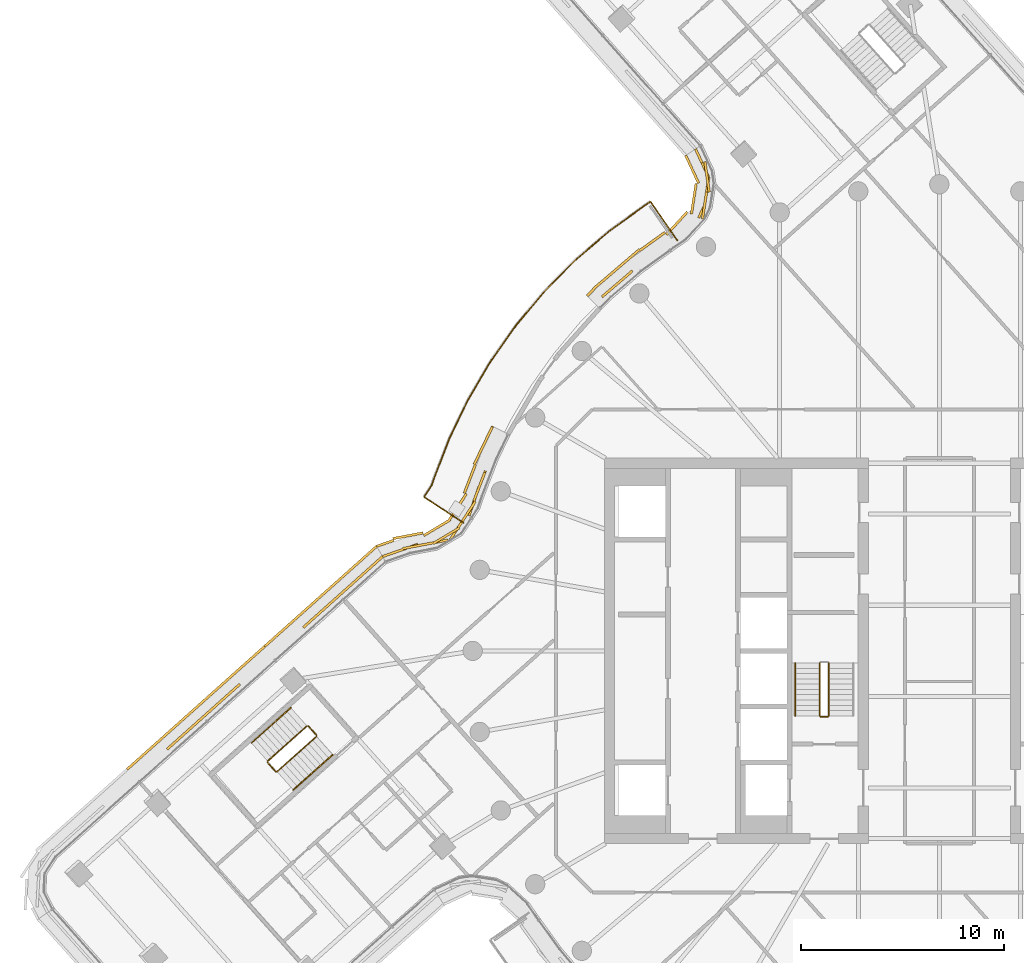
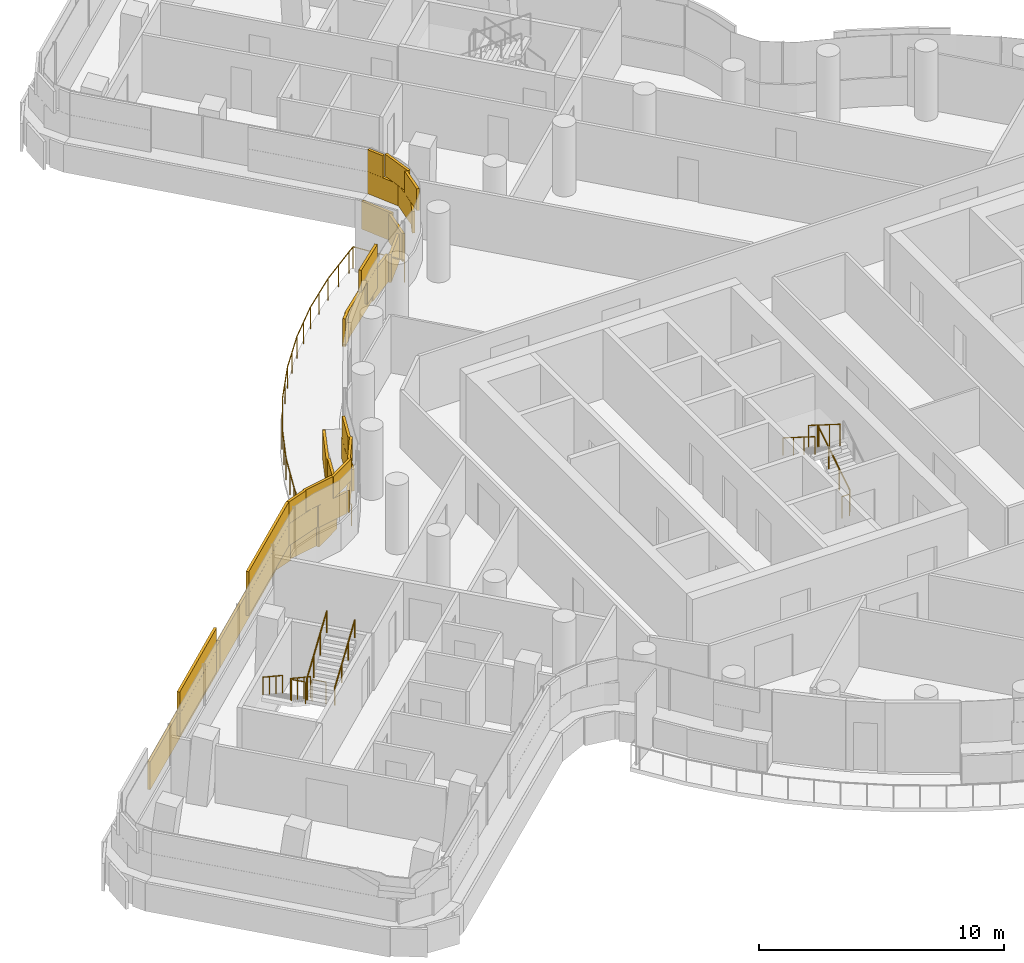
# One storey, part 29 of 33: 11 railings, 4 coverings.
"""IFC4 building model written with IfcOpenShell, lengths in metres."""

from ifc_helpers import new_model, si_unit, direction, frame, origin, origin_2d, place, context, subcontext, project, spatial, rectangle, circle, extrude, material, layer, layer_set, type_object, element, save


model = new_model("IFC4")

# Units and contexts
model_context = context("Model", 3, precision=1e-05, world=origin(), true_north=direction((0.0, 1.0)))
body_context = subcontext(model_context, "Body", "Model", "MODEL_VIEW")
ifc_project = project(units=[si_unit("LENGTHUNIT", "METRE"), si_unit("AREAUNIT", "SQUARE_METRE"), si_unit("VOLUMEUNIT", "CUBIC_METRE"), si_unit("PLANEANGLEUNIT", "RADIAN"), si_unit("MASSUNIT", "GRAM", prefix="KILO")], contexts=[model_context])

# Site, building, storey
site_placement = place(None, origin())
site = spatial("IfcSite", under=ifc_project, at=site_placement, CompositionType="ELEMENT")
building_placement = place(site_placement, origin())
building = spatial("IfcBuilding", under=site, at=building_placement, Name="Tamarind Cross Interchange Tower", CompositionType="ELEMENT")
storey_placement = place(building_placement, frame((0.0, 0.0, 186.10009765625)))
storey = spatial("IfcBuildingStorey", under=building, at=storey_placement, Name="L46", CompositionType="ELEMENT", Elevation=186.10009765625)

# Railings
ifc_material_1 = material(Name="Stainless steel and laminated glass", Category="steel")
railing_type_1 = type_object("IfcRailingType", Name="Balcony guard", PredefinedType="BALUSTRADE", material=ifc_material_1)
railing_1_placement = place(storey_placement, frame((-12.91357421875, 20.238037109375, 0.0)))
element("IfcRailing", 1, at=railing_1_placement, inside=storey, type_object=railing_type_1, Name="Balcony guard 10", PredefinedType="BALUSTRADE", context=body_context, shape_type="SweptSolid", body=[
    extrude(circle(Radius=0.02490234375, at=origin_2d()), frame((0.0, 0.0, 1.0751953125), z_axis=(-0.570025012572, 0.821627339517, 0.0), x_axis=(-0.821627339517, -0.570025012572, 0.0)), (0.0, 0.0, 1.0), 2.320068359375),
    extrude(circle(Radius=0.02490234375, at=origin_2d()), frame((-1.322509765625, 1.90625, 1.0751953125), z_axis=(-0.821594215568, -0.570072754081, 0.0), x_axis=(0.570072754081, -0.821594215568, 0.0)), (0.0, 0.0, 1.0), 0.38232421875),
    extrude(circle(Radius=0.02490234375, at=origin_2d()), frame((-1.63671875, 1.688232421875, 1.0751953125), z_axis=(-0.811362308637, -0.584543586162, 0.0), x_axis=(0.584543586162, -0.811362308637, 0.0)), (0.0, 0.0, 1.0), 2.10009765625),
    extrude(circle(Radius=0.02490234375, at=origin_2d()), frame((-3.340576171875, 0.460693359375, 1.0751953125), z_axis=(-0.760277812684, -0.649598066146, 0.0), x_axis=(0.649598066146, -0.760277812684, 0.0)), (0.0, 0.0, 1.0), 2.175048828125),
    extrude(circle(Radius=0.02490234375, at=origin_2d()), frame((-4.994140625, -0.9521484375, 1.0751953125), z_axis=(-0.704069857635, -0.710130717242, 0.0), x_axis=(0.710130717242, -0.704069857635, 0.0)), (0.0, 0.0, 1.0), 2.17529296875),
    extrude(circle(Radius=0.02490234375, at=origin_2d()), frame((-6.525634765625, -2.496826171875, 1.0751953125), z_axis=(-0.642984125922, -0.765879503455, 0.0), x_axis=(0.765879503455, -0.642984125922, 0.0)), (0.0, 0.0, 1.0), 2.17529296875),
    extrude(circle(Radius=0.02490234375, at=origin_2d()), frame((-7.92431640625, -4.162841796875, 1.0751953125), z_axis=(-0.577590617379, -0.81632657602, 0.0), x_axis=(0.81632657602, -0.577590617379, 0.0)), (0.0, 0.0, 1.0), 2.175048828125),
    extrude(circle(Radius=0.02490234375, at=origin_2d()), frame((-9.1806640625, -5.9384765625, 1.0751953125), z_axis=(-0.508226290333, -0.861223570169, 0.0), x_axis=(0.861223570169, -0.508226290333, 0.0)), (0.0, 0.0, 1.0), 2.175048828125),
    extrude(circle(Radius=0.02490234375, at=origin_2d()), frame((-10.2861328125, -7.811767578125, 1.0751953125), z_axis=(-0.435276325285, -0.90029690694, 0.0), x_axis=(0.90029690694, -0.435276325285, 0.0)), (0.0, 0.0, 1.0), 2.175048828125),
    extrude(circle(Radius=0.02490234375, at=origin_2d()), frame((-11.23291015625, -9.77001953125, 1.0751953125), z_axis=(-0.359564612977, -0.933120190058, 0.0), x_axis=(0.933120190058, -0.359564612977, 0.0)), (0.0, 0.0, 1.0), 2.123291015625),
    extrude(circle(Radius=0.02490234375, at=origin_2d()), frame((-11.996337890625, -11.751220703125, 1.0751953125), z_axis=(-0.323703566514, -0.946158549624, 0.0), x_axis=(0.946158549624, -0.323703566514, 0.0)), (0.0, 0.0, 1.0), 0.362060546875),
    extrude(circle(Radius=0.02490234375, at=origin_2d()), frame((-12.113525390625, -12.09375, 1.0751953125), z_axis=(-0.548361150367, -0.836241621045, 0.0), x_axis=(0.836241621045, -0.548361150367, 0.0)), (0.0, 0.0, 1.0), 0.668212890625),
    extrude(circle(Radius=0.02490234375, at=origin_2d()), frame((-12.47998046875, -12.652587890625, 1.0751953125), z_axis=(0.836331369017, -0.548224261774, 0.0), x_axis=(0.548224261774, 0.836331369017, 0.0)), (0.0, 0.0, 1.0), 2.320068359375),
    extrude(circle(Radius=0.02001953125, at=origin_2d()), origin(), (0.0, 0.0, 1.0), 1.050048828125),
    extrude(circle(Radius=0.02001953125, at=origin_2d()), frame((-0.6611328125, 0.953125, 0.0)), (0.0, 0.0, 1.0), 1.050048828125),
    extrude(circle(Radius=0.02001953125, at=origin_2d()), frame((-1.322509765625, 1.90625, 0.0)), (0.0, 0.0, 1.0), 1.050048828125),
    extrude(circle(Radius=0.02001953125, at=origin_2d()), frame((-1.63671875, 1.688232421875, 0.0)), (0.0, 0.0, 1.0), 1.050048828125),
    extrude(circle(Radius=0.02001953125, at=origin_2d()), frame((-2.48876953125, 1.074462890625, 0.0)), (0.0, 0.0, 1.0), 1.050048828125),
    extrude(circle(Radius=0.02001953125, at=origin_2d()), frame((-3.340576171875, 0.460693359375, 0.0)), (0.0, 0.0, 1.0), 1.050048828125),
    extrude(circle(Radius=0.02001953125, at=origin_2d()), frame((-4.16748046875, -0.24560546875, 0.0)), (0.0, 0.0, 1.0), 1.050048828125),
    extrude(circle(Radius=0.02001953125, at=origin_2d()), frame((-4.994140625, -0.9521484375, 0.0)), (0.0, 0.0, 1.0), 1.050048828125),
    extrude(circle(Radius=0.02001953125, at=origin_2d()), frame((-5.759765625, -1.724609375, 0.0)), (0.0, 0.0, 1.0), 1.050048828125),
    extrude(circle(Radius=0.02001953125, at=origin_2d()), frame((-6.525634765625, -2.496826171875, 0.0)), (0.0, 0.0, 1.0), 1.050048828125),
    extrude(circle(Radius=0.02001953125, at=origin_2d()), frame((-7.22509765625, -3.329833984375, 0.0)), (0.0, 0.0, 1.0), 1.050048828125),
    extrude(circle(Radius=0.02001953125, at=origin_2d()), frame((-7.92431640625, -4.162841796875, 0.0)), (0.0, 0.0, 1.0), 1.050048828125),
    extrude(circle(Radius=0.02001953125, at=origin_2d()), frame((-8.552490234375, -5.05078125, 0.0)), (0.0, 0.0, 1.0), 1.050048828125),
    extrude(circle(Radius=0.02001953125, at=origin_2d()), frame((-9.1806640625, -5.9384765625, 0.0)), (0.0, 0.0, 1.0), 1.050048828125),
    extrude(circle(Radius=0.02001953125, at=origin_2d()), frame((-9.7333984375, -6.875, 0.0)), (0.0, 0.0, 1.0), 1.050048828125),
    extrude(circle(Radius=0.02001953125, at=origin_2d()), frame((-10.2861328125, -7.811767578125, 0.0)), (0.0, 0.0, 1.0), 1.050048828125),
    extrude(circle(Radius=0.02001953125, at=origin_2d()), frame((-10.759521484375, -8.791015625, 0.0)), (0.0, 0.0, 1.0), 1.050048828125),
    extrude(circle(Radius=0.02001953125, at=origin_2d()), frame((-11.23291015625, -9.77001953125, 0.0)), (0.0, 0.0, 1.0), 1.050048828125),
    extrude(circle(Radius=0.02001953125, at=origin_2d()), frame((-11.61474609375, -10.7607421875, 0.0)), (0.0, 0.0, 1.0), 1.050048828125),
    extrude(circle(Radius=0.02001953125, at=origin_2d()), frame((-11.996337890625, -11.751220703125, 0.0)), (0.0, 0.0, 1.0), 1.050048828125),
    extrude(circle(Radius=0.02001953125, at=origin_2d()), frame((-12.113525390625, -12.09375, 0.0)), (0.0, 0.0, 1.0), 1.050048828125),
    extrude(circle(Radius=0.02001953125, at=origin_2d()), frame((-12.47998046875, -12.652587890625, 0.0)), (0.0, 0.0, 1.0), 1.050048828125),
    extrude(circle(Radius=0.02001953125, at=origin_2d()), frame((-11.509765625, -13.28857421875, 0.0)), (0.0, 0.0, 1.0), 1.050048828125),
    extrude(circle(Radius=0.02001953125, at=origin_2d()), frame((-10.53955078125, -13.924560546875, 0.0)), (0.0, 0.0, 1.0), 1.050048828125),
])
ifc_material_2 = material(Name="Stair guard")
railing_type_2 = type_object("IfcRailingType", Name="Stair guard", PredefinedType="GUARDRAIL", material=ifc_material_2)
railing_2_placement = place(storey_placement, frame((-5.449951171875, -3.199951171875, 0.16357421875)))
element("IfcRailing", 2, at=railing_2_placement, inside=storey, type_object=railing_type_2, Name="L46 ST1 stair guard 1", PredefinedType="GUARDRAIL", context=body_context, shape_type="SweptSolid", body=[
    extrude(circle(Radius=0.02392578125, at=origin_2d()), frame((0.0, 0.0, 1.076171875), z_axis=(0.0, 0.846337672412, 0.532646734952), x_axis=(-1.0, 0.0, 0.0)), (0.0, 0.0, 1.0), 3.07177734375),
    extrude(circle(Radius=0.02099609375, at=origin_2d()), origin(), (0.0, 0.0, 1.0), 1.052001953125),
    extrude(circle(Radius=0.02099609375, at=origin_2d()), frame((0.0, 0.86669921875, 0.54541015625)), (0.0, 0.0, 1.0), 1.052001953125),
    extrude(circle(Radius=0.02099609375, at=origin_2d()), frame((0.0, 1.733154296875, 1.0908203125)), (0.0, 0.0, 1.0), 1.052001953125),
    extrude(circle(Radius=0.02099609375, at=origin_2d()), frame((0.0, 2.599853515625, 1.63623046875)), (0.0, 0.0, 1.0), 1.052001953125),
])
railing_3_placement = place(storey_placement, frame((-5.89990234375, -0.60009765625, 1.963623046875)))
element("IfcRailing", 3, at=railing_3_placement, inside=storey, type_object=railing_type_2, Name="L46 ST1 stair guard 3", PredefinedType="GUARDRAIL", context=body_context, shape_type="SweptSolid", body=[
    extrude(circle(Radius=0.02392578125, at=origin_2d()), frame((0.0, 0.0, 1.076171875), z_axis=(0.0, -0.846337672412, 0.532646734952), x_axis=(1.0, 0.0, 0.0)), (0.0, 0.0, 1.0), 3.07177734375),
    extrude(circle(Radius=0.02099609375, at=origin_2d()), origin(), (0.0, 0.0, 1.0), 1.052001953125),
    extrude(circle(Radius=0.02099609375, at=origin_2d()), frame((0.0, -0.86669921875, 0.54541015625)), (0.0, 0.0, 1.0), 1.052001953125),
    extrude(circle(Radius=0.02099609375, at=origin_2d()), frame((0.0, -1.733154296875, 1.0908203125)), (0.0, 0.0, 1.0), 1.052001953125),
    extrude(circle(Radius=0.02099609375, at=origin_2d()), frame((0.0, -2.599853515625, 1.63623046875)), (0.0, 0.0, 1.0), 1.052001953125),
])
railing_4_placement = place(storey_placement, frame((-5.5, -3.25, 0.0)))
element("IfcRailing", 4, at=railing_4_placement, inside=storey, type_object=railing_type_2, Name="L46 ST1 stair guard 4", PredefinedType="GUARDRAIL", context=body_context, shape_type="SweptSolid", body=[
    extrude(circle(Radius=0.02392578125, at=origin_2d()), frame((0.0, 0.0, 1.076171875), z_axis=(-1.0, 0.0, 0.0), x_axis=(0.0, -1.0, 0.0)), (0.0, 0.0, 1.0), 0.35009765625),
    extrude(circle(Radius=0.02099609375, at=origin_2d()), origin(), (0.0, 0.0, 1.0), 1.052001953125),
    extrude(circle(Radius=0.02099609375, at=origin_2d()), frame((-0.35009765625, 0.0, 0.0)), (0.0, 0.0, 1.0), 1.052001953125),
])
railing_5_placement = place(storey_placement, frame((-31.166259765625, -3.7001953125, 0.16357421875)))
element("IfcRailing", 5, at=railing_5_placement, inside=storey, type_object=railing_type_2, Name="L46 ST5 stair guard 1", PredefinedType="GUARDRAIL", context=body_context, shape_type="SweptSolid", body=[
    extrude(circle(Radius=0.02392578125, at=origin_2d()), frame((0.0, 0.0, 1.076171875), z_axis=(-0.63101821531, -0.564022200762, 0.532630236651), x_axis=(0.666418735311, -0.745577674844, 0.0)), (0.0, 0.0, 1.0), 3.072021484375),
    extrude(circle(Radius=0.02099609375, at=origin_2d()), origin(), (0.0, 0.0, 1.0), 1.052001953125),
    extrude(circle(Radius=0.02099609375, at=origin_2d()), frame((-0.646240234375, -0.57763671875, 0.54541015625)), (0.0, 0.0, 1.0), 1.052001953125),
    extrude(circle(Radius=0.02099609375, at=origin_2d()), frame((-1.292236328125, -1.155029296875, 1.0908203125)), (0.0, 0.0, 1.0), 1.052001953125),
    extrude(circle(Radius=0.02099609375, at=origin_2d()), frame((-1.9384765625, -1.732666015625, 1.63623046875)), (0.0, 0.0, 1.0), 1.052001953125),
])
railing_6_placement = place(storey_placement, frame((-33.108642578125, -5.50341796875, 1.7998046875)))
element("IfcRailing", 6, at=railing_6_placement, inside=storey, type_object=railing_type_2, Name="L46 ST5 stair guard 2", PredefinedType="GUARDRAIL", context=body_context, shape_type="SweptSolid", body=[
    extrude(circle(Radius=0.02392578125, at=origin_2d()), frame((0.0, 0.0, 1.076171875), z_axis=(0.666306907704, -0.745677614486, 0.0), x_axis=(0.745677614486, 0.666306907704, 0.0)), (0.0, 0.0, 1.0), 0.599853515625),
    extrude(circle(Radius=0.02099609375, at=origin_2d()), origin(), (0.0, 0.0, 1.0), 1.052001953125),
    extrude(circle(Radius=0.02099609375, at=origin_2d()), frame((0.399658203125, -0.447265625, 0.0)), (0.0, 0.0, 1.0), 1.052001953125),
])
railing_7_placement = place(storey_placement, frame((-32.638427734375, -5.954833984375, 1.963623046875)))
element("IfcRailing", 7, at=railing_7_placement, inside=storey, type_object=railing_type_2, Name="L46 ST5 stair guard 3", PredefinedType="GUARDRAIL", context=body_context, shape_type="SweptSolid", body=[
    extrude(circle(Radius=0.02392578125, at=origin_2d()), frame((0.0, 0.0, 1.076171875), z_axis=(0.63103775542, 0.564048103258, 0.532579654555), x_axis=(-0.666424276542, 0.745572721896, 0.0)), (0.0, 0.0, 1.0), 3.072265625),
    extrude(circle(Radius=0.02099609375, at=origin_2d()), origin(), (0.0, 0.0, 1.0), 1.052001953125),
    extrude(circle(Radius=0.02099609375, at=origin_2d()), frame((0.646240234375, 0.57763671875, 0.54541015625)), (0.0, 0.0, 1.0), 1.052001953125),
    extrude(circle(Radius=0.02099609375, at=origin_2d()), frame((1.29248046875, 1.1552734375, 1.0908203125)), (0.0, 0.0, 1.0), 1.052001953125),
    extrude(circle(Radius=0.02099609375, at=origin_2d()), frame((1.938720703125, 1.73291015625, 1.63623046875)), (0.0, 0.0, 1.0), 1.052001953125),
])
railing_8_placement = place(storey_placement, frame((-31.095703125, -3.7041015625, 0.0)))
element("IfcRailing", 8, at=railing_8_placement, inside=storey, type_object=railing_type_2, Name="L46 ST5 stair guard 4", PredefinedType="GUARDRAIL", context=body_context, shape_type="SweptSolid", body=[
    extrude(circle(Radius=0.02392578125, at=origin_2d()), frame((0.0, 0.0, 1.076171875), z_axis=(0.666533138217, -0.74547540245, 0.0), x_axis=(0.74547540245, 0.666533138217, 0.0)), (0.0, 0.0, 1.0), 0.599853515625),
    extrude(circle(Radius=0.02099609375, at=origin_2d()), origin(), (0.0, 0.0, 1.0), 1.052001953125),
    extrude(circle(Radius=0.02099609375, at=origin_2d()), frame((0.39990234375, -0.447265625, 0.0)), (0.0, 0.0, 1.0), 1.052001953125),
])
ifc_material_3 = material(Name="Stair handrail")
railing_type_3 = type_object("IfcRailingType", Name="Stair handrail", PredefinedType="HANDRAIL", material=ifc_material_3)
railing_9_placement = place(storey_placement, frame((-7.10009765625, -0.60009765625, 1.963623046875)))
element("IfcRailing", 9, at=railing_9_placement, inside=storey, type_object=railing_type_3, Name="L46 ST1 stair handrail 2", PredefinedType="HANDRAIL", context=body_context, shape_type="SweptSolid", body=[
    extrude(circle(Radius=0.02392578125, at=origin_2d()), frame((0.0, 0.0, 0.8759765625), z_axis=(0.0, -0.846337672412, 0.532646734952), x_axis=(1.0, 0.0, 0.0)), (0.0, 0.0, 1.0), 3.07177734375),
    extrude(circle(Radius=0.02099609375, at=origin_2d()), origin(), (0.0, 0.0, 1.0), 0.851806640625),
    extrude(circle(Radius=0.02099609375, at=origin_2d()), frame((0.0, -0.86669921875, 0.54541015625)), (0.0, 0.0, 1.0), 0.851806640625),
    extrude(circle(Radius=0.02099609375, at=origin_2d()), frame((0.0, -1.733154296875, 1.0908203125)), (0.0, 0.0, 1.0), 0.851806640625),
    extrude(circle(Radius=0.02099609375, at=origin_2d()), frame((0.0, -2.599853515625, 1.63623046875)), (0.0, 0.0, 1.0), 0.851806640625),
])
railing_10_placement = place(storey_placement, frame((-31.966064453125, -2.805419921875, 0.16357421875)))
element("IfcRailing", 10, at=railing_10_placement, inside=storey, type_object=railing_type_3, Name="L46 ST5 stair handrail 1", PredefinedType="HANDRAIL", context=body_context, shape_type="SweptSolid", body=[
    extrude(circle(Radius=0.02392578125, at=origin_2d()), frame((0.0, 0.0, 0.8759765625), z_axis=(-0.63101821531, -0.564022200762, 0.532630236651), x_axis=(0.666418735311, -0.745577674844, 0.0)), (0.0, 0.0, 1.0), 3.072021484375),
    extrude(circle(Radius=0.02099609375, at=origin_2d()), origin(), (0.0, 0.0, 1.0), 0.851806640625),
    extrude(circle(Radius=0.02099609375, at=origin_2d()), frame((-0.646240234375, -0.57763671875, 0.54541015625)), (0.0, 0.0, 1.0), 0.851806640625),
    extrude(circle(Radius=0.02099609375, at=origin_2d()), frame((-1.292236328125, -1.155029296875, 1.0908203125)), (0.0, 0.0, 1.0), 0.851806640625),
    extrude(circle(Radius=0.02099609375, at=origin_2d()), frame((-1.9384765625, -1.732666015625, 1.63623046875)), (0.0, 0.0, 1.0), 0.851806640625),
])
railing_11_placement = place(storey_placement, frame((-31.838623046875, -6.849365234375, 1.963623046875)))
element("IfcRailing", 11, at=railing_11_placement, inside=storey, type_object=railing_type_3, Name="L46 ST5 stair handrail 2", PredefinedType="HANDRAIL", context=body_context, shape_type="SweptSolid", body=[
    extrude(circle(Radius=0.02392578125, at=origin_2d()), frame((0.0, 0.0, 0.8759765625), z_axis=(0.63101821531, 0.564022200762, 0.532630236651), x_axis=(-0.666418735311, 0.745577674844, 0.0)), (0.0, 0.0, 1.0), 3.072021484375),
    extrude(circle(Radius=0.02099609375, at=origin_2d()), origin(), (0.0, 0.0, 1.0), 0.851806640625),
    extrude(circle(Radius=0.02099609375, at=origin_2d()), frame((0.646240234375, 0.57763671875, 0.54541015625)), (0.0, 0.0, 1.0), 0.851806640625),
    extrude(circle(Radius=0.02099609375, at=origin_2d()), frame((1.292236328125, 1.155029296875, 1.0908203125)), (0.0, 0.0, 1.0), 0.851806640625),
    extrude(circle(Radius=0.02099609375, at=origin_2d()), frame((1.9384765625, 1.732666015625, 1.63623046875)), (0.0, 0.0, 1.0), 0.851806640625),
])

# Coverings
ifc_material_4 = material(Name="Terracotta", Category="masonry")
ifc_layer = layer(ifc_material_4, 0.1201171875)
ifc_layer_set = layer_set([ifc_layer], Name="Terracotta")
covering_type = type_object("IfcCoveringType", Name="Terracotta baguette screen unit", PredefinedType="MOLDING", material=ifc_layer_set)
covering_1_placement = place(storey_placement, origin())
element("IfcCovering", 12, at=covering_1_placement, inside=storey, type_object=covering_type, Name="SCR-L46-10-00", PredefinedType="MOLDING", context=body_context, shape_type="SweptSolid", body=[
    extrude(rectangle(XDim=1.510009765625, YDim=0.1201171875, at=origin_2d()), frame((-11.697998046875, 24.05859375, 1.40380859375), z_axis=(0.0, 0.0, 1.0), x_axis=(0.421957676406, -0.906615530047, 0.0)), (0.0, 0.0, 1.0), 1.092041015625),
    extrude(rectangle(XDim=1.52001953125, YDim=0.1201171875, at=origin_2d()), frame((-11.469970703125, 22.617431640625, 1.40380859375), z_axis=(0.0, 0.0, 1.0), x_axis=(-0.151420630653, -0.988469419159, 0.0)), (0.0, 0.0, 1.0), 1.092041015625),
    extrude(rectangle(XDim=0.601318359375, YDim=0.1201171875, at=origin_2d()), frame((-11.7314453125, 21.61572265625, 1.40380859375), z_axis=(0.0, 0.0, 1.0), x_axis=(-0.431188634432, -0.902261803213, 0.0)), (0.0, 0.0, 1.0), 1.092041015625),
    extrude(rectangle(XDim=1.21875, YDim=0.1201171875, at=origin_2d()), frame((-15.58935546875, 18.33349609375, 1.40380859375), z_axis=(0.0, 0.0, 1.0), x_axis=(-0.760295606781, -0.64957723968, 0.0)), (0.0, 0.0, 1.0), 1.092041015625),
    extrude(rectangle(XDim=0.760009765625, YDim=0.1201171875, at=origin_2d()), frame((-11.856201171875, 24.3984375, 2.50390625), z_axis=(0.0, 0.0, 1.0), x_axis=(0.421957676406, -0.906615530047, 0.0)), (0.0, 0.0, 1.0), 1.092041015625),
    extrude(rectangle(XDim=1.52001953125, YDim=0.1201171875, at=origin_2d()), frame((-11.446533203125, 23.359130859375, 2.50390625), z_axis=(0.0, 0.0, 1.0), x_axis=(0.141324407206, -0.989963338679, 0.0)), (0.0, 0.0, 1.0), 1.092041015625),
    extrude(rectangle(XDim=1.351318359375, YDim=0.1201171875, at=origin_2d()), frame((-11.571533203125, 21.95458984375, 2.50390625), z_axis=(0.0, 0.0, 1.0), x_axis=(-0.151420630653, -0.988469419159, 0.0)), (0.0, 0.0, 1.0), 1.092041015625),
    extrude(rectangle(XDim=0.46875, YDim=0.1201171875, at=origin_2d()), frame((-15.30419921875, 18.5771484375, 2.50390625), z_axis=(0.0, 0.0, 1.0), x_axis=(-0.760295606781, -0.64957723968, 0.0)), (0.0, 0.0, 1.0), 1.092041015625),
    extrude(rectangle(XDim=1.52001953125, YDim=0.1201171875, at=origin_2d()), frame((-16.048828125, 17.94091796875, 2.50390625), z_axis=(0.0, 0.0, 1.0), x_axis=(-0.760295606781, -0.64957723968, 0.0)), (0.0, 0.0, 1.0), 1.092041015625),
    extrude(rectangle(XDim=1.510009765625, YDim=0.1201171875, at=origin_2d()), frame((-12.180908203125, 23.735595703125, 0.00390625), z_axis=(0.0, 0.0, 1.0), x_axis=(0.421957676406, -0.906615530047, 0.0)), (0.0, 0.0, 1.0), 1.39208984375),
    extrude(rectangle(XDim=1.52001953125, YDim=0.1201171875, at=origin_2d()), frame((-12.1015625, 22.285400390625, 0.00390625), z_axis=(0.0, 0.0, 1.0), x_axis=(-0.151420630653, -0.988469419159, 0.0)), (0.0, 0.0, 1.0), 1.39208984375),
    extrude(rectangle(XDim=1.52001953125, YDim=0.1201171875, at=origin_2d()), frame((-12.934814453125, 21.074951171875, 0.00390625), z_axis=(0.0, 0.0, 1.0), x_axis=(-0.674002957732, -0.738728646371, 0.0)), (0.0, 0.0, 1.0), 1.39208984375),
    extrude(rectangle(XDim=1.52001953125, YDim=0.1201171875, at=origin_2d()), frame((-14.13671875, 20.18310546875, 0.00390625), z_axis=(0.0, 0.0, 1.0), x_axis=(-0.811340475102, -0.584573890505, 0.0)), (0.0, 0.0, 1.0), 1.39208984375),
    extrude(rectangle(XDim=1.52001953125, YDim=0.1201171875, at=origin_2d()), frame((-15.345947265625, 19.29638671875, 0.00390625), z_axis=(0.0, 0.0, 1.0), x_axis=(-0.760295606781, -0.64957723968, 0.0)), (0.0, 0.0, 1.0), 1.39208984375),
    extrude(rectangle(XDim=1.52001953125, YDim=0.1201171875, at=origin_2d()), frame((-16.486572265625, 18.322021484375, 0.00390625), z_axis=(0.0, 0.0, 1.0), x_axis=(-0.760295606781, -0.64957723968, 0.0)), (0.0, 0.0, 1.0), 1.39208984375),
    extrude(rectangle(XDim=0.4580078125, YDim=0.1201171875, at=origin_2d()), frame((-17.1904296875, 17.657470703125, 0.00390625), z_axis=(0.0, 0.0, 1.0), x_axis=(-0.704057148523, -0.710143317658, 0.0)), (0.0, 0.0, 1.0), 1.39208984375),
    extrude(rectangle(XDim=0.03076171875, YDim=0.1201171875, at=origin_2d()), frame((-22.0244140625, 11.052734375, 0.00390625), z_axis=(0.0, 0.0, 1.0), x_axis=(-0.435326231914, -0.900272776334, 0.0)), (0.0, 0.0, 1.0), 1.39208984375),
])
covering_2_placement = place(storey_placement, origin())
element("IfcCovering", 13, at=covering_2_placement, inside=storey, type_object=covering_type, Name="SCR-L46-10-01", PredefinedType="MOLDING", context=body_context, shape_type="SweptSolid", body=[
    extrude(rectangle(XDim=0.84326171875, YDim=0.1201171875, at=origin_2d()), frame((-22.523681640625, 8.47705078125, 1.40380859375), z_axis=(0.0, 0.0, 1.0), x_axis=(-0.359495435512, -0.933146843667, 0.0)), (0.0, 0.0, 1.0), 1.092041015625),
    extrude(rectangle(XDim=1.52001953125, YDim=0.1201171875, at=origin_2d()), frame((-22.930419921875, 7.3837890625, 1.40380859375), z_axis=(0.0, 0.0, 1.0), x_axis=(-0.32385500118, -0.946106726649, 0.0)), (0.0, 0.0, 1.0), 1.092041015625),
    extrude(rectangle(XDim=1.52001953125, YDim=0.1201171875, at=origin_2d()), frame((-23.69873046875, 6.102783203125, 1.40380859375), z_axis=(0.0, 0.0, 1.0), x_axis=(-0.548257812532, -0.83630937517, 0.0)), (0.0, 0.0, 1.0), 1.092041015625),
    extrude(rectangle(XDim=1.52001953125, YDim=0.1201171875, at=origin_2d()), frame((-24.958984375, 5.324462890625, 1.40380859375), z_axis=(0.0, 0.0, 1.0), x_axis=(-0.982521637865, -0.186148411563, 0.0)), (0.0, 0.0, 1.0), 1.092041015625),
    extrude(rectangle(XDim=1.52001953125, YDim=0.1201171875, at=origin_2d()), frame((-26.421875, 5.0048828125, 1.40380859375), z_axis=(0.0, 0.0, 1.0), x_axis=(-0.943847090898, -0.330382610019, 0.0)), (0.0, 0.0, 1.0), 1.092041015625),
    extrude(rectangle(XDim=0.33544921875, YDim=0.1201171875, at=origin_2d()), frame((-27.283447265625, 4.703369140625, 1.40380859375), z_axis=(0.0, 0.0, 1.0), x_axis=(-0.943847090898, -0.330382610019, 0.0)), (0.0, 0.0, 1.0), 1.092041015625),
    extrude(rectangle(XDim=1.52001953125, YDim=0.1201171875, at=origin_2d()), frame((-22.673583984375, 8.088134765625, 2.50390625), z_axis=(0.0, 0.0, 1.0), x_axis=(-0.359495435512, -0.933146843667, 0.0)), (0.0, 0.0, 1.0), 1.092041015625),
    extrude(rectangle(XDim=1.52001953125, YDim=0.1201171875, at=origin_2d()), frame((-23.28759765625, 6.730224609375, 2.50390625), z_axis=(0.0, 0.0, 1.0), x_axis=(-0.548257812532, -0.83630937517, 0.0)), (0.0, 0.0, 1.0), 1.092041015625),
    extrude(rectangle(XDim=1.52001953125, YDim=0.1201171875, at=origin_2d()), frame((-24.302734375, 5.676513671875, 2.50390625), z_axis=(0.0, 0.0, 1.0), x_axis=(-0.858287138112, -0.513169746334, 0.0)), (0.0, 0.0, 1.0), 1.092041015625),
    extrude(rectangle(XDim=1.52001953125, YDim=0.1201171875, at=origin_2d()), frame((-25.69580078125, 5.184814453125, 2.50390625), z_axis=(0.0, 0.0, 1.0), x_axis=(-0.982521637865, -0.186148411563, 0.0)), (0.0, 0.0, 1.0), 1.092041015625),
    extrude(rectangle(XDim=1.08544921875, YDim=0.1201171875, at=origin_2d()), frame((-26.929443359375, 4.8271484375, 2.50390625), z_axis=(0.0, 0.0, 1.0), x_axis=(-0.943847090898, -0.330382610019, 0.0)), (0.0, 0.0, 1.0), 1.092041015625),
    extrude(rectangle(XDim=0.549072265625, YDim=0.1201171875, at=origin_2d()), frame((-22.150634765625, 10.79150390625, 0.00390625), z_axis=(0.0, 0.0, 1.0), x_axis=(-0.435326231914, -0.900272776334, 0.0)), (0.0, 0.0, 1.0), 1.39208984375),
    extrude(rectangle(XDim=1.52001953125, YDim=0.1201171875, at=origin_2d()), frame((-22.59228515625, 9.878173828125, 0.00390625), z_axis=(0.0, 0.0, 1.0), x_axis=(-0.435326231914, -0.900272776334, 0.0)), (0.0, 0.0, 1.0), 1.39208984375),
    extrude(rectangle(XDim=1.52001953125, YDim=0.1201171875, at=origin_2d()), frame((-23.137451171875, 8.48095703125, 0.00390625), z_axis=(0.0, 0.0, 1.0), x_axis=(-0.359495435512, -0.933146843667, 0.0)), (0.0, 0.0, 1.0), 1.39208984375),
    extrude(rectangle(XDim=1.52001953125, YDim=0.1201171875, at=origin_2d()), frame((-23.7255859375, 7.109130859375, 0.00390625), z_axis=(0.0, 0.0, 1.0), x_axis=(-0.548257812532, -0.83630937517, 0.0)), (0.0, 0.0, 1.0), 1.39208984375),
    extrude(rectangle(XDim=1.52001953125, YDim=0.1201171875, at=origin_2d()), frame((-24.7578125, 6.0732421875, 0.00390625), z_axis=(0.0, 0.0, 1.0), x_axis=(-0.858287138112, -0.513169746334, 0.0)), (0.0, 0.0, 1.0), 1.39208984375),
    extrude(rectangle(XDim=1.52001953125, YDim=0.1201171875, at=origin_2d()), frame((-26.186767578125, 5.676025390625, 0.00390625), z_axis=(0.0, 0.0, 1.0), x_axis=(-0.982521637865, -0.186148411563, 0.0)), (0.0, 0.0, 1.0), 1.39208984375),
    extrude(rectangle(XDim=0.894775390625, YDim=0.1201171875, at=origin_2d()), frame((-27.312255859375, 5.301513671875, 0.00390625), z_axis=(0.0, 0.0, 1.0), x_axis=(-0.943847090898, -0.330382610019, 0.0)), (0.0, 0.0, 1.0), 1.39208984375),
])
covering_3_placement = place(storey_placement, origin())
element("IfcCovering", 14, at=covering_3_placement, inside=storey, type_object=covering_type, Name="SCR-L46-11-00", PredefinedType="MOLDING", context=body_context, shape_type="SweptSolid", body=[
    extrude(rectangle(XDim=1.510009765625, YDim=0.1201171875, at=origin_2d()), frame((-27.996337890625, 4.149658203125, 1.40380859375), z_axis=(0.0, 0.0, 1.0), x_axis=(-0.745569057905, -0.666428375667, 0.0)), (0.0, 0.0, 1.0), 1.092041015625),
    extrude(rectangle(XDim=1.52001953125, YDim=0.1201171875, at=origin_2d()), frame((-29.114501953125, 3.150146484375, 1.40380859375), z_axis=(0.0, 0.0, 1.0), x_axis=(-0.745569057905, -0.666428375667, 0.0)), (0.0, 0.0, 1.0), 1.092041015625),
    extrude(rectangle(XDim=1.52001953125, YDim=0.1201171875, at=origin_2d()), frame((-30.23291015625, 2.150390625, 1.40380859375), z_axis=(0.0, 0.0, 1.0), x_axis=(-0.745569057905, -0.666428375667, 0.0)), (0.0, 0.0, 1.0), 1.092041015625),
    extrude(rectangle(XDim=0.7470703125, YDim=0.1201171875, at=origin_2d()), frame((-31.06689453125, 1.405029296875, 1.40380859375), z_axis=(0.0, 0.0, 1.0), x_axis=(-0.745569057905, -0.666428375667, 0.0)), (0.0, 0.0, 1.0), 1.092041015625),
    extrude(rectangle(XDim=0.760009765625, YDim=0.1201171875, at=origin_2d()), frame((-27.716552734375, 4.399658203125, 2.50390625), z_axis=(0.0, 0.0, 1.0), x_axis=(-0.745569057905, -0.666428375667, 0.0)), (0.0, 0.0, 1.0), 1.092041015625),
    extrude(rectangle(XDim=1.52001953125, YDim=0.1201171875, at=origin_2d()), frame((-28.555419921875, 3.64990234375, 2.50390625), z_axis=(0.0, 0.0, 1.0), x_axis=(-0.745569057905, -0.666428375667, 0.0)), (0.0, 0.0, 1.0), 1.092041015625),
    extrude(rectangle(XDim=1.52001953125, YDim=0.1201171875, at=origin_2d()), frame((-29.673828125, 2.650390625, 2.50390625), z_axis=(0.0, 0.0, 1.0), x_axis=(-0.745569057905, -0.666428375667, 0.0)), (0.0, 0.0, 1.0), 1.092041015625),
    extrude(rectangle(XDim=1.4970703125, YDim=0.1201171875, at=origin_2d()), frame((-30.787353515625, 1.655029296875, 2.50390625), z_axis=(0.0, 0.0, 1.0), x_axis=(-0.745569057905, -0.666428375667, 0.0)), (0.0, 0.0, 1.0), 1.092041015625),
    extrude(rectangle(XDim=1.510009765625, YDim=0.1201171875, at=origin_2d()), frame((-28.29736328125, 4.650390625, 0.00390625), z_axis=(0.0, 0.0, 1.0), x_axis=(-0.745569057905, -0.666428375667, 0.0)), (0.0, 0.0, 1.0), 1.39208984375),
    extrude(rectangle(XDim=1.52001953125, YDim=0.1201171875, at=origin_2d()), frame((-29.412109375, 3.654052734375, 0.00390625), z_axis=(0.0, 0.0, 1.0), x_axis=(-0.745569057905, -0.666428375667, 0.0)), (0.0, 0.0, 1.0), 1.39208984375),
    extrude(rectangle(XDim=1.52001953125, YDim=0.1201171875, at=origin_2d()), frame((-30.5302734375, 2.654541015625, 0.00390625), z_axis=(0.0, 0.0, 1.0), x_axis=(-0.745569057905, -0.666428375667, 0.0)), (0.0, 0.0, 1.0), 1.39208984375),
    extrude(rectangle(XDim=1.52001953125, YDim=0.1201171875, at=origin_2d()), frame((-31.648681640625, 1.65478515625, 0.00390625), z_axis=(0.0, 0.0, 1.0), x_axis=(-0.745569057905, -0.666428375667, 0.0)), (0.0, 0.0, 1.0), 1.39208984375),
    extrude(rectangle(XDim=1.410400390625, YDim=0.1201171875, at=origin_2d()), frame((-32.726318359375, 0.691650390625, 0.00390625), z_axis=(0.0, 0.0, 1.0), x_axis=(-0.745569057905, -0.666428375667, 0.0)), (0.0, 0.0, 1.0), 1.39208984375),
])
covering_4_placement = place(storey_placement, origin())
element("IfcCovering", 15, at=covering_4_placement, inside=storey, type_object=covering_type, Name="SCR-L46-11-01", PredefinedType="MOLDING", context=body_context, shape_type="SweptSolid", body=[
    extrude(rectangle(XDim=1.072998046875, YDim=0.1201171875, at=origin_2d()), frame((-34.869140625, -1.99365234375, 1.40380859375), z_axis=(0.0, 0.0, 1.0), x_axis=(-0.745569057905, -0.666428375667, 0.0)), (0.0, 0.0, 1.0), 1.092041015625),
    extrude(rectangle(XDim=1.52001953125, YDim=0.1201171875, at=origin_2d()), frame((-35.82470703125, -2.84765625, 1.40380859375), z_axis=(0.0, 0.0, 1.0), x_axis=(-0.745569057905, -0.666428375667, 0.0)), (0.0, 0.0, 1.0), 1.092041015625),
    extrude(rectangle(XDim=1.52001953125, YDim=0.1201171875, at=origin_2d()), frame((-36.943115234375, -3.847412109375, 1.40380859375), z_axis=(0.0, 0.0, 1.0), x_axis=(-0.745569057905, -0.666428375667, 0.0)), (0.0, 0.0, 1.0), 1.092041015625),
    extrude(rectangle(XDim=0.75927734375, YDim=0.1201171875, at=origin_2d()), frame((-37.781494140625, -4.596923828125, 1.40380859375), z_axis=(0.0, 0.0, 1.0), x_axis=(-0.745569057905, -0.666428375667, 0.0)), (0.0, 0.0, 1.0), 1.092041015625),
    extrude(rectangle(XDim=0.322998046875, YDim=0.1201171875, at=origin_2d()), frame((-34.589599609375, -1.743896484375, 2.50390625), z_axis=(0.0, 0.0, 1.0), x_axis=(-0.745569057905, -0.666428375667, 0.0)), (0.0, 0.0, 1.0), 1.092041015625),
    extrude(rectangle(XDim=1.52001953125, YDim=0.1201171875, at=origin_2d()), frame((-35.265625, -2.347900390625, 2.50390625), z_axis=(0.0, 0.0, 1.0), x_axis=(-0.745569057905, -0.666428375667, 0.0)), (0.0, 0.0, 1.0), 1.092041015625),
    extrude(rectangle(XDim=1.52001953125, YDim=0.1201171875, at=origin_2d()), frame((-36.3837890625, -3.34765625, 2.50390625), z_axis=(0.0, 0.0, 1.0), x_axis=(-0.745569057905, -0.666428375667, 0.0)), (0.0, 0.0, 1.0), 1.092041015625),
    extrude(rectangle(XDim=1.50927734375, YDim=0.1201171875, at=origin_2d()), frame((-37.501953125, -4.346923828125, 2.50390625), z_axis=(0.0, 0.0, 1.0), x_axis=(-0.745569057905, -0.666428375667, 0.0)), (0.0, 0.0, 1.0), 1.092041015625),
    extrude(rectangle(XDim=0.109619140625, YDim=0.1201171875, at=origin_2d()), frame((-33.292724609375, 0.185302734375, 0.00390625), z_axis=(0.0, 0.0, 1.0), x_axis=(-0.745569057905, -0.666428375667, 0.0)), (0.0, 0.0, 1.0), 1.39208984375),
    extrude(rectangle(XDim=1.52001953125, YDim=0.1201171875, at=origin_2d()), frame((-33.885498046875, -0.344482421875, 0.00390625), z_axis=(0.0, 0.0, 1.0), x_axis=(-0.745569057905, -0.666428375667, 0.0)), (0.0, 0.0, 1.0), 1.39208984375),
    extrude(rectangle(XDim=1.52001953125, YDim=0.1201171875, at=origin_2d()), frame((-35.003662109375, -1.343994140625, 0.00390625), z_axis=(0.0, 0.0, 1.0), x_axis=(-0.745569057905, -0.666428375667, 0.0)), (0.0, 0.0, 1.0), 1.39208984375),
    extrude(rectangle(XDim=1.52001953125, YDim=0.1201171875, at=origin_2d()), frame((-36.1220703125, -2.34375, 0.00390625), z_axis=(0.0, 0.0, 1.0), x_axis=(-0.745569057905, -0.666428375667, 0.0)), (0.0, 0.0, 1.0), 1.39208984375),
    extrude(rectangle(XDim=1.52001953125, YDim=0.1201171875, at=origin_2d()), frame((-37.240478515625, -3.34326171875, 0.00390625), z_axis=(0.0, 0.0, 1.0), x_axis=(-0.745569057905, -0.666428375667, 0.0)), (0.0, 0.0, 1.0), 1.39208984375),
    extrude(rectangle(XDim=1.52001953125, YDim=0.1201171875, at=origin_2d()), frame((-38.35888671875, -4.343017578125, 0.00390625), z_axis=(0.0, 0.0, 1.0), x_axis=(-0.745569057905, -0.666428375667, 0.0)), (0.0, 0.0, 1.0), 1.39208984375),
    extrude(rectangle(XDim=1.500732421875, YDim=0.1201171875, at=origin_2d()), frame((-39.469970703125, -5.336181640625, 0.00390625), z_axis=(0.0, 0.0, 1.0), x_axis=(-0.745569057905, -0.666428375667, 0.0)), (0.0, 0.0, 1.0), 1.39208984375),
])

save(model, "model.ifc")
